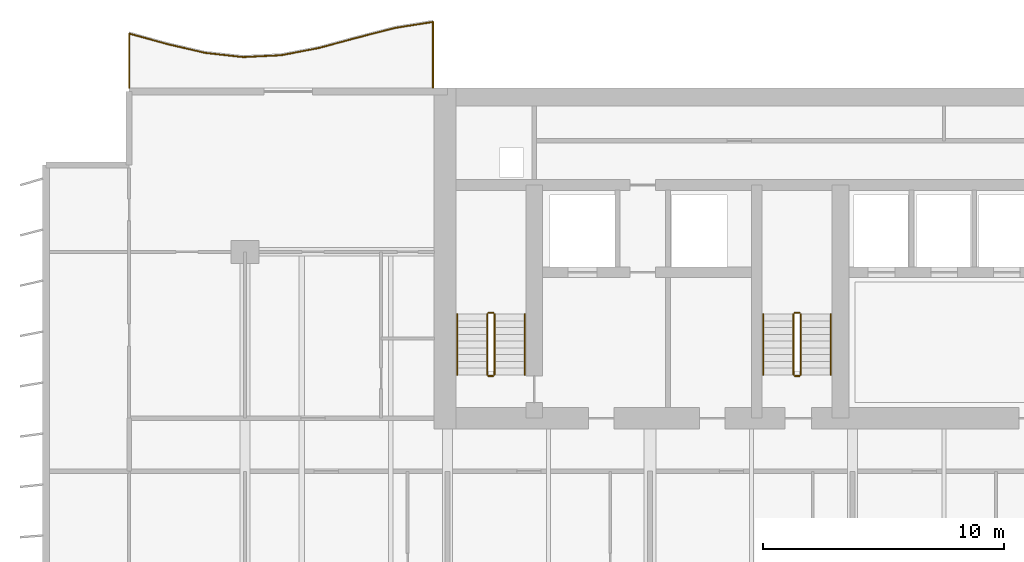
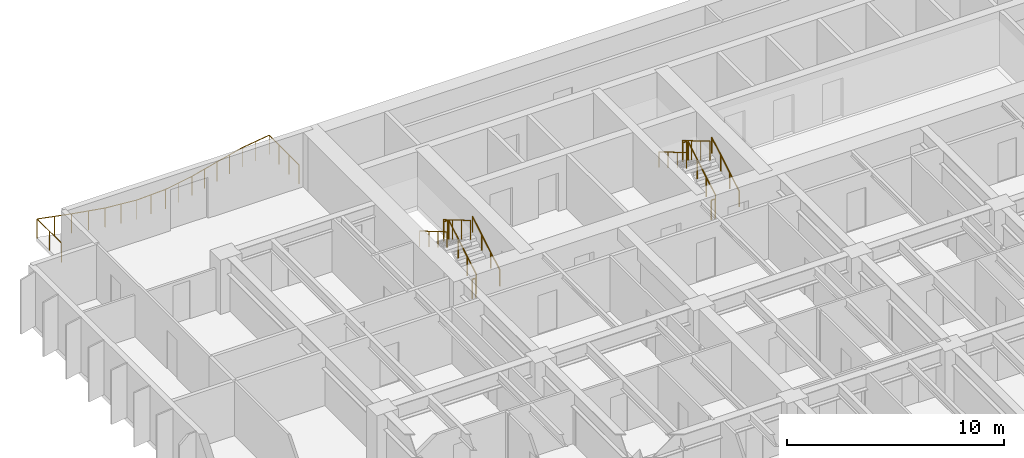
# One storey, part 16 of 18: 13 railings.
"""IFC4 building model written with IfcOpenShell, lengths in metres."""

from ifc_helpers import new_model, si_unit, direction, frame, origin, origin_2d, place, context, subcontext, project, spatial, circle, extrude, material, type_object, element, save


model = new_model("IFC4")

# Units and contexts
model_context = context("Model", 3, precision=1e-05, world=origin(), true_north=direction((0.0, 1.0)))
body_context = subcontext(model_context, "Body", "Model", "MODEL_VIEW")
ifc_project = project(units=[si_unit("LENGTHUNIT", "METRE"), si_unit("AREAUNIT", "SQUARE_METRE"), si_unit("VOLUMEUNIT", "CUBIC_METRE"), si_unit("PLANEANGLEUNIT", "RADIAN"), si_unit("MASSUNIT", "GRAM", prefix="KILO")], contexts=[model_context])

# Site, building, storey
site_placement = place(None, origin())
site = spatial("IfcSite", under=ifc_project, at=site_placement, CompositionType="ELEMENT")
building_placement = place(site_placement, origin())
building = spatial("IfcBuilding", under=site, at=building_placement, Name="Caelmar Bay Residences", CompositionType="ELEMENT")
storey_placement = place(building_placement, frame((0.0, 0.0, 69.60009765625)))
storey = spatial("IfcBuildingStorey", under=building, at=storey_placement, Name="L18", CompositionType="ELEMENT", Elevation=69.60009765625)

# Railings
ifc_material_1 = material(Name="Anodised bronze handrail with laminated hurricane glass infill", Category="glass")
railing_type_1 = type_object("IfcRailingType", Name="RL-BAL-1100", PredefinedType="BALUSTRADE", material=ifc_material_1)
railing_1_placement = place(storey_placement, frame((17.699951171875, 50.60009765625, 0.0)))
element("IfcRailing", 1, at=railing_1_placement, inside=storey, type_object=railing_type_1, Name="L18 north_west Balcony Balustrade", PredefinedType="BALUSTRADE", context=body_context, shape_type="SweptSolid", body=[
    extrude(circle(Radius=0.02392578125, at=origin_2d()), frame((0.0, 0.0, 1.076171875), z_axis=(0.0, 1.0, 0.0), x_axis=(-1.0, 0.0, 0.0)), (0.0, 0.0, 1.0), 2.733154296875),
    extrude(circle(Radius=0.02392578125, at=origin_2d()), frame((0.0, 2.733154296875, 1.076171875), z_axis=(-0.98772942327, -0.156174858431, 0.0), x_axis=(0.156174858431, -0.98772942327, 0.0)), (0.0, 0.0, 1.0), 1.594482421875),
    extrude(circle(Radius=0.02392578125, at=origin_2d()), frame((-1.574951171875, 2.484130859375, 1.076171875), z_axis=(-0.968414261795, -0.249346781715, 0.0), x_axis=(0.249346781715, -0.968414261795, 0.0)), (0.0, 0.0, 1.0), 1.626220703125),
    extrude(circle(Radius=0.02392578125, at=origin_2d()), frame((-3.14990234375, 2.07861328125, 1.076171875), z_axis=(-0.965420419953, -0.260697933895, 0.0), x_axis=(0.260697933895, -0.965420419953, 0.0)), (0.0, 0.0, 1.0), 1.63134765625),
    extrude(circle(Radius=0.02392578125, at=origin_2d()), frame((-4.724853515625, 1.6533203125, 1.076171875), z_axis=(-0.982140830907, -0.18814725155, 0.0), x_axis=(0.18814725155, -0.982140830907, 0.0)), (0.0, 0.0, 1.0), 1.603759765625),
    extrude(circle(Radius=0.02392578125, at=origin_2d()), frame((-6.300048828125, 1.3515625, 1.076171875), z_axis=(-0.998824997948, -0.048462598722, 0.0), x_axis=(0.048462598722, -0.998824997948, 0.0)), (0.0, 0.0, 1.0), 1.576904296875),
    extrude(circle(Radius=0.02392578125, at=origin_2d()), frame((-7.875, 1.275146484375, 1.076171875), z_axis=(-0.993913760533, 0.110160957802, 0.0), x_axis=(-0.110160957802, -0.993913760533, 0.0)), (0.0, 0.0, 1.0), 1.584716796875),
    extrude(circle(Radius=0.02392578125, at=origin_2d()), frame((-9.449951171875, 1.44970703125, 1.076171875), z_axis=(-0.973949121844, 0.226766637887, 0.0), x_axis=(-0.226766637887, -0.973949121844, 0.0)), (0.0, 0.0, 1.0), 1.6171875),
    extrude(circle(Radius=0.02392578125, at=origin_2d()), frame((-11.02490234375, 1.81640625, 1.076171875), z_axis=(-0.963861744869, 0.266402959402, 0.0), x_axis=(-0.266402959402, -0.963861744869, 0.0)), (0.0, 0.0, 1.0), 1.634033203125),
    extrude(circle(Radius=0.02392578125, at=origin_2d()), frame((-12.599853515625, 2.251708984375, 1.076171875), z_axis=(0.0, -1.0, 0.0), x_axis=(1.0, 0.0, 0.0)), (0.0, 0.0, 1.0), 2.251708984375),
    extrude(circle(Radius=0.02099609375, at=origin_2d()), origin(), (0.0, 0.0, 1.0), 1.052001953125),
    extrude(circle(Radius=0.02099609375, at=origin_2d()), frame((0.0, 0.9111328125, 0.0)), (0.0, 0.0, 1.0), 1.052001953125),
    extrude(circle(Radius=0.02099609375, at=origin_2d()), frame((0.0, 1.822021484375, 0.0)), (0.0, 0.0, 1.0), 1.052001953125),
    extrude(circle(Radius=0.02099609375, at=origin_2d()), frame((0.0, 2.733154296875, 0.0)), (0.0, 0.0, 1.0), 1.052001953125),
    extrude(circle(Radius=0.02099609375, at=origin_2d()), frame((-0.78759765625, 2.608642578125, 0.0)), (0.0, 0.0, 1.0), 1.052001953125),
    extrude(circle(Radius=0.02099609375, at=origin_2d()), frame((-1.574951171875, 2.484130859375, 0.0)), (0.0, 0.0, 1.0), 1.052001953125),
    extrude(circle(Radius=0.02099609375, at=origin_2d()), frame((-2.3623046875, 2.28125, 0.0)), (0.0, 0.0, 1.0), 1.052001953125),
    extrude(circle(Radius=0.02099609375, at=origin_2d()), frame((-3.14990234375, 2.07861328125, 0.0)), (0.0, 0.0, 1.0), 1.052001953125),
    extrude(circle(Radius=0.02099609375, at=origin_2d()), frame((-3.9375, 1.865966796875, 0.0)), (0.0, 0.0, 1.0), 1.052001953125),
    extrude(circle(Radius=0.02099609375, at=origin_2d()), frame((-4.724853515625, 1.6533203125, 0.0)), (0.0, 0.0, 1.0), 1.052001953125),
    extrude(circle(Radius=0.02099609375, at=origin_2d()), frame((-5.512451171875, 1.50244140625, 0.0)), (0.0, 0.0, 1.0), 1.052001953125),
    extrude(circle(Radius=0.02099609375, at=origin_2d()), frame((-6.300048828125, 1.3515625, 0.0)), (0.0, 0.0, 1.0), 1.052001953125),
    extrude(circle(Radius=0.02099609375, at=origin_2d()), frame((-7.08740234375, 1.3134765625, 0.0)), (0.0, 0.0, 1.0), 1.052001953125),
    extrude(circle(Radius=0.02099609375, at=origin_2d()), frame((-7.875, 1.275146484375, 0.0)), (0.0, 0.0, 1.0), 1.052001953125),
    extrude(circle(Radius=0.02099609375, at=origin_2d()), frame((-8.66259765625, 1.3623046875, 0.0)), (0.0, 0.0, 1.0), 1.052001953125),
    extrude(circle(Radius=0.02099609375, at=origin_2d()), frame((-9.449951171875, 1.44970703125, 0.0)), (0.0, 0.0, 1.0), 1.052001953125),
    extrude(circle(Radius=0.02099609375, at=origin_2d()), frame((-10.2373046875, 1.633056640625, 0.0)), (0.0, 0.0, 1.0), 1.052001953125),
    extrude(circle(Radius=0.02099609375, at=origin_2d()), frame((-11.02490234375, 1.81640625, 0.0)), (0.0, 0.0, 1.0), 1.052001953125),
    extrude(circle(Radius=0.02099609375, at=origin_2d()), frame((-11.8125, 2.0341796875, 0.0)), (0.0, 0.0, 1.0), 1.052001953125),
    extrude(circle(Radius=0.02099609375, at=origin_2d()), frame((-12.599853515625, 2.251708984375, 0.0)), (0.0, 0.0, 1.0), 1.052001953125),
    extrude(circle(Radius=0.02099609375, at=origin_2d()), frame((-12.599853515625, 1.1259765625, 0.0)), (0.0, 0.0, 1.0), 1.052001953125),
    extrude(circle(Radius=0.02099609375, at=origin_2d()), frame((-12.599853515625, 0.0, 0.0)), (0.0, 0.0, 1.0), 1.052001953125),
])
ifc_material_2 = material(Name="Painted galvanized steel stair guard 1100 mm", Category="steel")
railing_type_2 = type_object("IfcRailingType", Name="RL-GRD-1100", PredefinedType="GUARDRAIL", material=ifc_material_2)
railing_2_placement = place(storey_placement, frame((20.25, 38.699951171875, 0.164794921875)))
element("IfcRailing", 2, at=railing_2_placement, inside=storey, type_object=railing_type_2, Name="L18 ST1 stair guard 1", PredefinedType="GUARDRAIL", context=body_context, shape_type="SweptSolid", body=[
    extrude(circle(Radius=0.02392578125, at=origin_2d()), frame((0.0, 0.0, 1.076171875), z_axis=(0.0, 0.86152411907, 0.507716645641), x_axis=(-1.0, 0.0, 0.0)), (0.0, 0.0, 1.0), 2.925048828125),
    extrude(circle(Radius=0.02099609375, at=origin_2d()), origin(), (0.0, 0.0, 1.0), 1.052001953125),
    extrude(circle(Radius=0.02099609375, at=origin_2d()), frame((0.0, 0.840087890625, 0.4951171875)), (0.0, 0.0, 1.0), 1.052001953125),
    extrude(circle(Radius=0.02099609375, at=origin_2d()), frame((0.0, 1.679931640625, 0.989990234375)), (0.0, 0.0, 1.0), 1.052001953125),
    extrude(circle(Radius=0.02099609375, at=origin_2d()), frame((0.0, 2.52001953125, 1.485107421875)), (0.0, 0.0, 1.0), 1.052001953125),
])
railing_3_placement = place(storey_placement, frame((20.199951171875, 41.27001953125, 1.64990234375)))
element("IfcRailing", 3, at=railing_3_placement, inside=storey, type_object=railing_type_2, Name="L18 ST1 stair guard 2", PredefinedType="GUARDRAIL", context=body_context, shape_type="SweptSolid", body=[
    extrude(circle(Radius=0.02392578125, at=origin_2d()), frame((0.0, 0.0, 1.076171875), z_axis=(-1.0, 0.0, 0.0), x_axis=(0.0, -1.0, 0.0)), (0.0, 0.0, 1.0), 0.199951171875),
    extrude(circle(Radius=0.02099609375, at=origin_2d()), origin(), (0.0, 0.0, 1.0), 1.052001953125),
    extrude(circle(Radius=0.02099609375, at=origin_2d()), frame((-0.199951171875, 0.0, 0.0)), (0.0, 0.0, 1.0), 1.052001953125),
])
railing_4_placement = place(storey_placement, frame((19.949951171875, 41.219970703125, 1.81494140625)))
element("IfcRailing", 4, at=railing_4_placement, inside=storey, type_object=railing_type_2, Name="L18 ST1 stair guard 3", PredefinedType="GUARDRAIL", context=body_context, shape_type="SweptSolid", body=[
    extrude(circle(Radius=0.02392578125, at=origin_2d()), frame((0.0, 0.0, 1.076171875), z_axis=(0.0, -0.861560626758, 0.507654692109), x_axis=(1.0, 0.0, 0.0)), (0.0, 0.0, 1.0), 2.925048828125),
    extrude(circle(Radius=0.02099609375, at=origin_2d()), origin(), (0.0, 0.0, 1.0), 1.052001953125),
    extrude(circle(Radius=0.02099609375, at=origin_2d()), frame((0.0, -0.840087890625, 0.494873046875)), (0.0, 0.0, 1.0), 1.052001953125),
    extrude(circle(Radius=0.02099609375, at=origin_2d()), frame((0.0, -1.679931640625, 0.989990234375)), (0.0, 0.0, 1.0), 1.052001953125),
    extrude(circle(Radius=0.02099609375, at=origin_2d()), frame((0.0, -2.52001953125, 1.48486328125)), (0.0, 0.0, 1.0), 1.052001953125),
])
railing_5_placement = place(storey_placement, frame((20.199951171875, 38.64990234375, 0.0)))
element("IfcRailing", 5, at=railing_5_placement, inside=storey, type_object=railing_type_2, Name="L18 ST1 stair guard 4", PredefinedType="GUARDRAIL", context=body_context, shape_type="SweptSolid", body=[
    extrude(circle(Radius=0.02392578125, at=origin_2d()), frame((0.0, 0.0, 1.076171875), z_axis=(-1.0, 0.0, 0.0), x_axis=(0.0, -1.0, 0.0)), (0.0, 0.0, 1.0), 0.199951171875),
    extrude(circle(Radius=0.02099609375, at=origin_2d()), origin(), (0.0, 0.0, 1.0), 1.052001953125),
    extrude(circle(Radius=0.02099609375, at=origin_2d()), frame((-0.199951171875, 0.0, 0.0)), (0.0, 0.0, 1.0), 1.052001953125),
])
railing_6_placement = place(storey_placement, frame((32.949951171875, 38.699951171875, 0.164794921875)))
element("IfcRailing", 6, at=railing_6_placement, inside=storey, type_object=railing_type_2, Name="L18 ST3 stair guard 1", PredefinedType="GUARDRAIL", context=body_context, shape_type="SweptSolid", body=[
    extrude(circle(Radius=0.02392578125, at=origin_2d()), frame((0.0, 0.0, 1.076171875), z_axis=(0.0, 0.86152411907, 0.507716645641), x_axis=(-1.0, 0.0, 0.0)), (0.0, 0.0, 1.0), 2.925048828125),
    extrude(circle(Radius=0.02099609375, at=origin_2d()), origin(), (0.0, 0.0, 1.0), 1.052001953125),
    extrude(circle(Radius=0.02099609375, at=origin_2d()), frame((0.0, 0.840087890625, 0.4951171875)), (0.0, 0.0, 1.0), 1.052001953125),
    extrude(circle(Radius=0.02099609375, at=origin_2d()), frame((0.0, 1.679931640625, 0.989990234375)), (0.0, 0.0, 1.0), 1.052001953125),
    extrude(circle(Radius=0.02099609375, at=origin_2d()), frame((0.0, 2.52001953125, 1.485107421875)), (0.0, 0.0, 1.0), 1.052001953125),
])
railing_7_placement = place(storey_placement, frame((32.89990234375, 41.27001953125, 1.64990234375)))
element("IfcRailing", 7, at=railing_7_placement, inside=storey, type_object=railing_type_2, Name="L18 ST3 stair guard 2", PredefinedType="GUARDRAIL", context=body_context, shape_type="SweptSolid", body=[
    extrude(circle(Radius=0.02392578125, at=origin_2d()), frame((0.0, 0.0, 1.076171875), z_axis=(-1.0, 0.0, 0.0), x_axis=(0.0, -1.0, 0.0)), (0.0, 0.0, 1.0), 0.199951171875),
    extrude(circle(Radius=0.02099609375, at=origin_2d()), origin(), (0.0, 0.0, 1.0), 1.052001953125),
    extrude(circle(Radius=0.02099609375, at=origin_2d()), frame((-0.199951171875, 0.0, 0.0)), (0.0, 0.0, 1.0), 1.052001953125),
])
railing_8_placement = place(storey_placement, frame((32.64990234375, 41.219970703125, 1.81494140625)))
element("IfcRailing", 8, at=railing_8_placement, inside=storey, type_object=railing_type_2, Name="L18 ST3 stair guard 3", PredefinedType="GUARDRAIL", context=body_context, shape_type="SweptSolid", body=[
    extrude(circle(Radius=0.02392578125, at=origin_2d()), frame((0.0, 0.0, 1.076171875), z_axis=(0.0, -0.861560626758, 0.507654692109), x_axis=(1.0, 0.0, 0.0)), (0.0, 0.0, 1.0), 2.925048828125),
    extrude(circle(Radius=0.02099609375, at=origin_2d()), origin(), (0.0, 0.0, 1.0), 1.052001953125),
    extrude(circle(Radius=0.02099609375, at=origin_2d()), frame((0.0, -0.840087890625, 0.494873046875)), (0.0, 0.0, 1.0), 1.052001953125),
    extrude(circle(Radius=0.02099609375, at=origin_2d()), frame((0.0, -1.679931640625, 0.989990234375)), (0.0, 0.0, 1.0), 1.052001953125),
    extrude(circle(Radius=0.02099609375, at=origin_2d()), frame((0.0, -2.52001953125, 1.48486328125)), (0.0, 0.0, 1.0), 1.052001953125),
])
railing_9_placement = place(storey_placement, frame((32.89990234375, 38.64990234375, 0.0)))
element("IfcRailing", 9, at=railing_9_placement, inside=storey, type_object=railing_type_2, Name="L18 ST3 stair guard 4", PredefinedType="GUARDRAIL", context=body_context, shape_type="SweptSolid", body=[
    extrude(circle(Radius=0.02392578125, at=origin_2d()), frame((0.0, 0.0, 1.076171875), z_axis=(-1.0, 0.0, 0.0), x_axis=(0.0, -1.0, 0.0)), (0.0, 0.0, 1.0), 0.199951171875),
    extrude(circle(Radius=0.02099609375, at=origin_2d()), origin(), (0.0, 0.0, 1.0), 1.052001953125),
    extrude(circle(Radius=0.02099609375, at=origin_2d()), frame((-0.199951171875, 0.0, 0.0)), (0.0, 0.0, 1.0), 1.052001953125),
])
ifc_material_3 = material(Name="Brushed bronze stainless-steel tubular handrail 900 mm", Category="steel")
railing_type_3 = type_object("IfcRailingType", Name="RL-HND-900", PredefinedType="HANDRAIL", material=ifc_material_3)
railing_10_placement = place(storey_placement, frame((21.5, 38.699951171875, 0.164794921875)))
element("IfcRailing", 10, at=railing_10_placement, inside=storey, type_object=railing_type_3, Name="L18 ST1 stair handrail 1", PredefinedType="HANDRAIL", context=body_context, shape_type="SweptSolid", body=[
    extrude(circle(Radius=0.02392578125, at=origin_2d()), frame((0.0, 0.0, 0.8759765625), z_axis=(0.0, 0.86152411907, 0.507716645641), x_axis=(-1.0, 0.0, 0.0)), (0.0, 0.0, 1.0), 2.925048828125),
    extrude(circle(Radius=0.02099609375, at=origin_2d()), origin(), (0.0, 0.0, 1.0), 0.851806640625),
    extrude(circle(Radius=0.02099609375, at=origin_2d()), frame((0.0, 0.840087890625, 0.4951171875)), (0.0, 0.0, 1.0), 0.851806640625),
    extrude(circle(Radius=0.02099609375, at=origin_2d()), frame((0.0, 1.679931640625, 0.989990234375)), (0.0, 0.0, 1.0), 0.851806640625),
    extrude(circle(Radius=0.02099609375, at=origin_2d()), frame((0.0, 2.52001953125, 1.485107421875)), (0.0, 0.0, 1.0), 0.851806640625),
])
railing_11_placement = place(storey_placement, frame((18.699951171875, 41.219970703125, 1.81494140625)))
element("IfcRailing", 11, at=railing_11_placement, inside=storey, type_object=railing_type_3, Name="L18 ST1 stair handrail 2", PredefinedType="HANDRAIL", context=body_context, shape_type="SweptSolid", body=[
    extrude(circle(Radius=0.02392578125, at=origin_2d()), frame((0.0, 0.0, 0.8759765625), z_axis=(0.0, -0.861560626758, 0.507654692109), x_axis=(1.0, 0.0, 0.0)), (0.0, 0.0, 1.0), 2.925048828125),
    extrude(circle(Radius=0.02099609375, at=origin_2d()), origin(), (0.0, 0.0, 1.0), 0.851806640625),
    extrude(circle(Radius=0.02099609375, at=origin_2d()), frame((0.0, -0.840087890625, 0.494873046875)), (0.0, 0.0, 1.0), 0.851806640625),
    extrude(circle(Radius=0.02099609375, at=origin_2d()), frame((0.0, -1.679931640625, 0.989990234375)), (0.0, 0.0, 1.0), 0.851806640625),
    extrude(circle(Radius=0.02099609375, at=origin_2d()), frame((0.0, -2.52001953125, 1.48486328125)), (0.0, 0.0, 1.0), 0.851806640625),
])
railing_12_placement = place(storey_placement, frame((34.199951171875, 38.699951171875, 0.164794921875)))
element("IfcRailing", 12, at=railing_12_placement, inside=storey, type_object=railing_type_3, Name="L18 ST3 stair handrail 1", PredefinedType="HANDRAIL", context=body_context, shape_type="SweptSolid", body=[
    extrude(circle(Radius=0.02392578125, at=origin_2d()), frame((0.0, 0.0, 0.8759765625), z_axis=(0.0, 0.86152411907, 0.507716645641), x_axis=(-1.0, 0.0, 0.0)), (0.0, 0.0, 1.0), 2.925048828125),
    extrude(circle(Radius=0.02099609375, at=origin_2d()), origin(), (0.0, 0.0, 1.0), 0.851806640625),
    extrude(circle(Radius=0.02099609375, at=origin_2d()), frame((0.0, 0.840087890625, 0.4951171875)), (0.0, 0.0, 1.0), 0.851806640625),
    extrude(circle(Radius=0.02099609375, at=origin_2d()), frame((0.0, 1.679931640625, 0.989990234375)), (0.0, 0.0, 1.0), 0.851806640625),
    extrude(circle(Radius=0.02099609375, at=origin_2d()), frame((0.0, 2.52001953125, 1.485107421875)), (0.0, 0.0, 1.0), 0.851806640625),
])
railing_13_placement = place(storey_placement, frame((31.39990234375, 41.219970703125, 1.81494140625)))
element("IfcRailing", 13, at=railing_13_placement, inside=storey, type_object=railing_type_3, Name="L18 ST3 stair handrail 2", PredefinedType="HANDRAIL", context=body_context, shape_type="SweptSolid", body=[
    extrude(circle(Radius=0.02392578125, at=origin_2d()), frame((0.0, 0.0, 0.8759765625), z_axis=(0.0, -0.861560626758, 0.507654692109), x_axis=(1.0, 0.0, 0.0)), (0.0, 0.0, 1.0), 2.925048828125),
    extrude(circle(Radius=0.02099609375, at=origin_2d()), origin(), (0.0, 0.0, 1.0), 0.851806640625),
    extrude(circle(Radius=0.02099609375, at=origin_2d()), frame((0.0, -0.840087890625, 0.494873046875)), (0.0, 0.0, 1.0), 0.851806640625),
    extrude(circle(Radius=0.02099609375, at=origin_2d()), frame((0.0, -1.679931640625, 0.989990234375)), (0.0, 0.0, 1.0), 0.851806640625),
    extrude(circle(Radius=0.02099609375, at=origin_2d()), frame((0.0, -2.52001953125, 1.48486328125)), (0.0, 0.0, 1.0), 0.851806640625),
])

save(model, "model.ifc")
